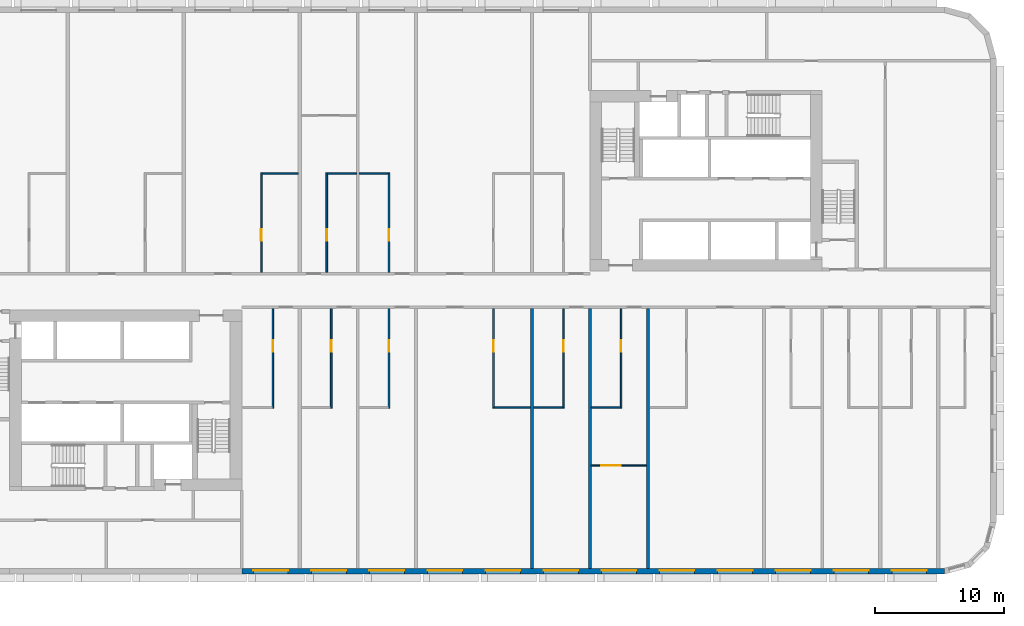
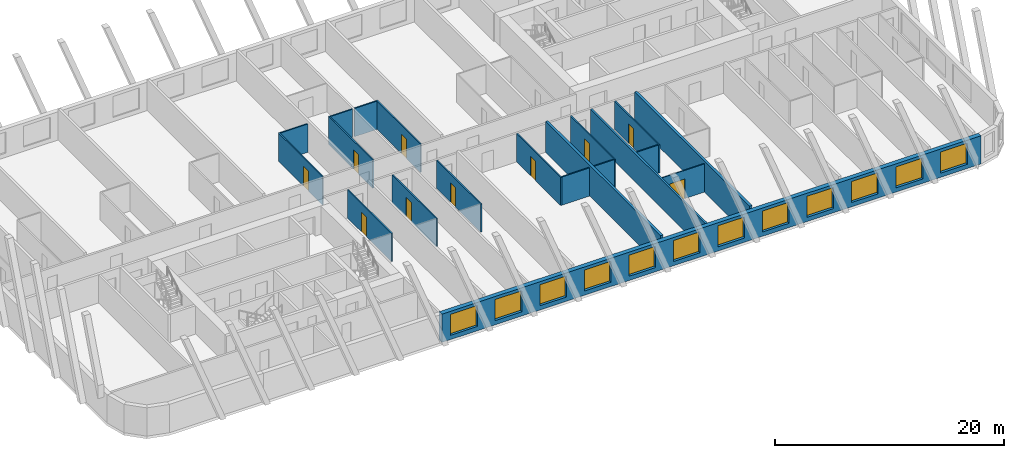
# One storey, part 4 of 13: 20 walls, 12 windows, 10 doors, 22 openings.
"""IFC4 building model written with IfcOpenShell, lengths in metres."""

from ifc_helpers import new_model, si_unit, direction, frame, frame_2d, origin, place, context, subcontext, project, spatial, rectangle, extrude, material, layer, layer_set, type_object, element, fill, save


model = new_model("IFC4")

# Units and contexts
model_context = context("Model", 3, precision=1e-05, world=origin(), true_north=direction((0.0, 1.0)))
body_context = subcontext(model_context, "Body", "Model", "MODEL_VIEW")
ifc_project = project(units=[si_unit("LENGTHUNIT", "METRE"), si_unit("AREAUNIT", "SQUARE_METRE"), si_unit("VOLUMEUNIT", "CUBIC_METRE"), si_unit("PLANEANGLEUNIT", "RADIAN"), si_unit("MASSUNIT", "GRAM", prefix="KILO")], contexts=[model_context])

# Site, building, storey
site_placement = place(None, origin())
site = spatial("IfcSite", under=ifc_project, at=site_placement, CompositionType="ELEMENT")
building_placement = place(site_placement, origin())
building = spatial("IfcBuilding", under=site, at=building_placement, Name="Kajstack Hotel Tower", CompositionType="ELEMENT")
storey_placement = place(building_placement, frame((0.0, 0.0, 79.800048828125)))
storey = spatial("IfcBuildingStorey", under=building, at=storey_placement, Name="L15", CompositionType="ELEMENT", Elevation=79.800048828125)

# Wall
ifc_material_1 = material(Name="Twin-frame gypsum board on steel studs, mineral wool", Category="steel")
ifc_layer_1 = layer(ifc_material_1, 0.199951171875)
ifc_layer_set_1 = layer_set([ifc_layer_1], Name="Demising wall 200")
wall_type_1 = type_object("IfcWallType", Name="Demising wall 200", PredefinedType="PARTITIONING", material=ifc_layer_set_1)
wall_1_placement = place(storey_placement, frame((13.5, -21.550048828125, 0.0), z_axis=(0.0, 0.0, 1.0), x_axis=(0.0, 1.0, 0.0)))
element("IfcWall", 1, at=wall_1_placement, inside=storey, type_object=wall_type_1, Name="G-wall-L15-034", PredefinedType="PARTITIONING", context=body_context, shape_type="SweptSolid", body=[
    extrude(rectangle(XDim=20.150146484375, YDim=0.199951171875, at=frame_2d((10.0751953125, 0.0))), origin(), (0.0, 0.0, 1.0), 3.02001953125),
])

# Wall, openings, windows
ifc_material_2 = material(Name="Terracotta-faced brick masonry", Category="masonry")
ifc_layer_2 = layer(ifc_material_2, 0.449951171875)
ifc_layer_set_2 = layer_set([ifc_layer_2], Name="EW-TERRA")
wall_type_2 = type_object("IfcWallType", Name="EW-TERRA", PredefinedType="SOLIDWALL", material=ifc_layer_set_2)
wall_2_placement = place(storey_placement, frame((-13.5, -21.77490234375, 0.0), z_axis=(0.0, 0.0, 1.0), x_axis=(1.0, 0.0, 0.0)))
wall_2 = element("IfcWall", 2, at=wall_2_placement, inside=storey, type_object=wall_type_2, Name="E-wall-L15-03-02", PredefinedType="SOLIDWALL", context=body_context, shape_type="SweptSolid", body=[
    extrude(rectangle(XDim=54.5, YDim=0.449951171875, at=frame_2d((27.25, 0.0))), origin(), (0.0, 0.0, 1.0), 3.02001953125),
])
opening_1_placement = place(wall_2_placement, frame((0.89990234375, 0.0, 0.449951171875)))
opening_1 = element("IfcOpeningElement", 3, at=opening_1_placement, cuts=wall_2, Name="Opening W1", PredefinedType="OPENING", context=body_context, shape_type="SweptSolid", body=[
    extrude(rectangle(XDim=2.699951171875, YDim=2.25, at=frame_2d((1.35009765625, 1.125))), frame((0.0, 0.23486328125, 0.0), z_axis=(0.0, -1.0, 0.0), x_axis=(1.0, 0.0, 0.0)), (0.0, 0.0, 1.0), 0.469970703125),
])
opening_2_placement = place(wall_2_placement, frame((5.39990234375, 0.0, 0.449951171875)))
opening_2 = element("IfcOpeningElement", 4, at=opening_2_placement, cuts=wall_2, Name="Opening W1", PredefinedType="OPENING", context=body_context, shape_type="SweptSolid", body=[
    extrude(rectangle(XDim=2.699951171875, YDim=2.25, at=frame_2d((1.35009765625, 1.125))), frame((0.0, 0.23486328125, 0.0), z_axis=(0.0, -1.0, 0.0), x_axis=(1.0, 0.0, 0.0)), (0.0, 0.0, 1.0), 0.469970703125),
])
opening_3_placement = place(wall_2_placement, frame((9.89990234375, 0.0, 0.449951171875)))
opening_3 = element("IfcOpeningElement", 5, at=opening_3_placement, cuts=wall_2, Name="Opening W1", PredefinedType="OPENING", context=body_context, shape_type="SweptSolid", body=[
    extrude(rectangle(XDim=2.699951171875, YDim=2.25, at=frame_2d((1.35009765625, 1.125))), frame((0.0, 0.23486328125, 0.0), z_axis=(0.0, -1.0, 0.0), x_axis=(1.0, 0.0, 0.0)), (0.0, 0.0, 1.0), 0.469970703125),
])
opening_4_placement = place(wall_2_placement, frame((14.39990234375, 0.0, 0.449951171875)))
opening_4 = element("IfcOpeningElement", 6, at=opening_4_placement, cuts=wall_2, Name="Opening W1", PredefinedType="OPENING", context=body_context, shape_type="SweptSolid", body=[
    extrude(rectangle(XDim=2.699951171875, YDim=2.25, at=frame_2d((1.35009765625, 1.125))), frame((0.0, 0.23486328125, 0.0), z_axis=(0.0, -1.0, 0.0), x_axis=(1.0, 0.0, 0.0)), (0.0, 0.0, 1.0), 0.469970703125),
])
opening_5_placement = place(wall_2_placement, frame((18.89990234375, 0.0, 0.449951171875)))
opening_5 = element("IfcOpeningElement", 7, at=opening_5_placement, cuts=wall_2, Name="Opening W1", PredefinedType="OPENING", context=body_context, shape_type="SweptSolid", body=[
    extrude(rectangle(XDim=2.699951171875, YDim=2.25, at=frame_2d((1.35009765625, 1.125))), frame((0.0, 0.23486328125, 0.0), z_axis=(0.0, -1.0, 0.0), x_axis=(1.0, 0.0, 0.0)), (0.0, 0.0, 1.0), 0.469970703125),
])
opening_6_placement = place(wall_2_placement, frame((23.39990234375, 0.0, 0.449951171875)))
opening_6 = element("IfcOpeningElement", 8, at=opening_6_placement, cuts=wall_2, Name="Opening W1", PredefinedType="OPENING", context=body_context, shape_type="SweptSolid", body=[
    extrude(rectangle(XDim=2.699951171875, YDim=2.25, at=frame_2d((1.35009765625, 1.125))), frame((0.0, 0.23486328125, 0.0), z_axis=(0.0, -1.0, 0.0), x_axis=(1.0, 0.0, 0.0)), (0.0, 0.0, 1.0), 0.469970703125),
])
opening_7_placement = place(wall_2_placement, frame((27.89990234375, 0.0, 0.449951171875)))
opening_7 = element("IfcOpeningElement", 9, at=opening_7_placement, cuts=wall_2, Name="Opening W1", PredefinedType="OPENING", context=body_context, shape_type="SweptSolid", body=[
    extrude(rectangle(XDim=2.699951171875, YDim=2.25, at=frame_2d((1.35009765625, 1.125))), frame((0.0, 0.23486328125, 0.0), z_axis=(0.0, -1.0, 0.0), x_axis=(1.0, 0.0, 0.0)), (0.0, 0.0, 1.0), 0.469970703125),
])
opening_8_placement = place(wall_2_placement, frame((32.39990234375, 0.0, 0.449951171875)))
opening_8 = element("IfcOpeningElement", 10, at=opening_8_placement, cuts=wall_2, Name="Opening W1", PredefinedType="OPENING", context=body_context, shape_type="SweptSolid", body=[
    extrude(rectangle(XDim=2.699951171875, YDim=2.25, at=frame_2d((1.35009765625, 1.125))), frame((0.0, 0.23486328125, 0.0), z_axis=(0.0, -1.0, 0.0), x_axis=(1.0, 0.0, 0.0)), (0.0, 0.0, 1.0), 0.469970703125),
])
opening_9_placement = place(wall_2_placement, frame((36.89990234375, 0.0, 0.449951171875)))
opening_9 = element("IfcOpeningElement", 11, at=opening_9_placement, cuts=wall_2, Name="Opening W1", PredefinedType="OPENING", context=body_context, shape_type="SweptSolid", body=[
    extrude(rectangle(XDim=2.699951171875, YDim=2.25, at=frame_2d((1.35009765625, 1.125))), frame((0.0, 0.23486328125, 0.0), z_axis=(0.0, -1.0, 0.0), x_axis=(1.0, 0.0, 0.0)), (0.0, 0.0, 1.0), 0.469970703125),
])
opening_10_placement = place(wall_2_placement, frame((41.39990234375, 0.0, 0.449951171875)))
opening_10 = element("IfcOpeningElement", 12, at=opening_10_placement, cuts=wall_2, Name="Opening W1", PredefinedType="OPENING", context=body_context, shape_type="SweptSolid", body=[
    extrude(rectangle(XDim=2.699951171875, YDim=2.25, at=frame_2d((1.35009765625, 1.125))), frame((0.0, 0.23486328125, 0.0), z_axis=(0.0, -1.0, 0.0), x_axis=(1.0, 0.0, 0.0)), (0.0, 0.0, 1.0), 0.469970703125),
])
opening_11_placement = place(wall_2_placement, frame((45.89990234375, 0.0, 0.449951171875)))
opening_11 = element("IfcOpeningElement", 13, at=opening_11_placement, cuts=wall_2, Name="Opening W1", PredefinedType="OPENING", context=body_context, shape_type="SweptSolid", body=[
    extrude(rectangle(XDim=2.699951171875, YDim=2.25, at=frame_2d((1.35009765625, 1.125))), frame((0.0, 0.23486328125, 0.0), z_axis=(0.0, -1.0, 0.0), x_axis=(1.0, 0.0, 0.0)), (0.0, 0.0, 1.0), 0.469970703125),
])
opening_12_placement = place(wall_2_placement, frame((50.39990234375, 0.0, 0.449951171875)))
opening_12 = element("IfcOpeningElement", 14, at=opening_12_placement, cuts=wall_2, Name="Opening W1", PredefinedType="OPENING", context=body_context, shape_type="SweptSolid", body=[
    extrude(rectangle(XDim=2.699951171875, YDim=2.25, at=frame_2d((1.35009765625, 1.125))), frame((0.0, 0.23486328125, 0.0), z_axis=(0.0, -1.0, 0.0), x_axis=(1.0, 0.0, 0.0)), (0.0, 0.0, 1.0), 0.469970703125),
])
ifc_material_3 = material(Name="Timber-aluminium window, triple glazed", Category="wood")
window_type = type_object("IfcWindowType", Name="WG1", PartitioningType="SINGLE_PANEL", PredefinedType="WINDOW", material=ifc_material_3)
window_1_placement = place(opening_1_placement, origin())
window_1 = element("IfcWindow", 15, at=window_1_placement, inside=storey, type_object=window_type, Name="Window W1 L15-03", OverallHeight=2.25, OverallWidth=2.699951171875, PartitioningType="SINGLE_PANEL", PredefinedType="WINDOW", context=body_context, shape_type="SweptSolid", body=[
    extrude(rectangle(XDim=2.699951171875, YDim=2.25, at=frame_2d((1.35009765625, 1.125))), frame((0.0, 0.090087890625, 0.0), z_axis=(0.0, -1.0, 0.0), x_axis=(1.0, 0.0, 0.0)), (0.0, 0.0, 1.0), 0.06005859375),
])
fill(opening_1, window_1)
window_2_placement = place(opening_2_placement, origin())
window_2 = element("IfcWindow", 16, at=window_2_placement, inside=storey, type_object=window_type, Name="Window W1 L15-03", OverallHeight=2.25, OverallWidth=2.699951171875, PartitioningType="SINGLE_PANEL", PredefinedType="WINDOW", context=body_context, shape_type="SweptSolid", body=[
    extrude(rectangle(XDim=2.699951171875, YDim=2.25, at=frame_2d((1.35009765625, 1.125))), frame((0.0, 0.090087890625, 0.0), z_axis=(0.0, -1.0, 0.0), x_axis=(1.0, 0.0, 0.0)), (0.0, 0.0, 1.0), 0.06005859375),
])
fill(opening_2, window_2)
window_3_placement = place(opening_3_placement, origin())
window_3 = element("IfcWindow", 17, at=window_3_placement, inside=storey, type_object=window_type, Name="Window W1 L15-03", OverallHeight=2.25, OverallWidth=2.699951171875, PartitioningType="SINGLE_PANEL", PredefinedType="WINDOW", context=body_context, shape_type="SweptSolid", body=[
    extrude(rectangle(XDim=2.699951171875, YDim=2.25, at=frame_2d((1.35009765625, 1.125))), frame((0.0, 0.090087890625, 0.0), z_axis=(0.0, -1.0, 0.0), x_axis=(1.0, 0.0, 0.0)), (0.0, 0.0, 1.0), 0.06005859375),
])
fill(opening_3, window_3)
window_4_placement = place(opening_4_placement, origin())
window_4 = element("IfcWindow", 18, at=window_4_placement, inside=storey, type_object=window_type, Name="Window W1 L15-03", OverallHeight=2.25, OverallWidth=2.699951171875, PartitioningType="SINGLE_PANEL", PredefinedType="WINDOW", context=body_context, shape_type="SweptSolid", body=[
    extrude(rectangle(XDim=2.699951171875, YDim=2.25, at=frame_2d((1.35009765625, 1.125))), frame((0.0, 0.090087890625, 0.0), z_axis=(0.0, -1.0, 0.0), x_axis=(1.0, 0.0, 0.0)), (0.0, 0.0, 1.0), 0.06005859375),
])
fill(opening_4, window_4)
window_5_placement = place(opening_5_placement, origin())
window_5 = element("IfcWindow", 19, at=window_5_placement, inside=storey, type_object=window_type, Name="Window W1 L15-03", OverallHeight=2.25, OverallWidth=2.699951171875, PartitioningType="SINGLE_PANEL", PredefinedType="WINDOW", context=body_context, shape_type="SweptSolid", body=[
    extrude(rectangle(XDim=2.699951171875, YDim=2.25, at=frame_2d((1.35009765625, 1.125))), frame((0.0, 0.090087890625, 0.0), z_axis=(0.0, -1.0, 0.0), x_axis=(1.0, 0.0, 0.0)), (0.0, 0.0, 1.0), 0.06005859375),
])
fill(opening_5, window_5)
window_6_placement = place(opening_6_placement, origin())
window_6 = element("IfcWindow", 20, at=window_6_placement, inside=storey, type_object=window_type, Name="Window W1 L15-03", OverallHeight=2.25, OverallWidth=2.699951171875, PartitioningType="SINGLE_PANEL", PredefinedType="WINDOW", context=body_context, shape_type="SweptSolid", body=[
    extrude(rectangle(XDim=2.699951171875, YDim=2.25, at=frame_2d((1.35009765625, 1.125))), frame((0.0, 0.090087890625, 0.0), z_axis=(0.0, -1.0, 0.0), x_axis=(1.0, 0.0, 0.0)), (0.0, 0.0, 1.0), 0.06005859375),
])
fill(opening_6, window_6)
window_7_placement = place(opening_7_placement, origin())
window_7 = element("IfcWindow", 21, at=window_7_placement, inside=storey, type_object=window_type, Name="Window W1 L15-03", OverallHeight=2.25, OverallWidth=2.699951171875, PartitioningType="SINGLE_PANEL", PredefinedType="WINDOW", context=body_context, shape_type="SweptSolid", body=[
    extrude(rectangle(XDim=2.699951171875, YDim=2.25, at=frame_2d((1.35009765625, 1.125))), frame((0.0, 0.090087890625, 0.0), z_axis=(0.0, -1.0, 0.0), x_axis=(1.0, 0.0, 0.0)), (0.0, 0.0, 1.0), 0.06005859375),
])
fill(opening_7, window_7)
window_8_placement = place(opening_8_placement, origin())
window_8 = element("IfcWindow", 22, at=window_8_placement, inside=storey, type_object=window_type, Name="Window W1 L15-03", OverallHeight=2.25, OverallWidth=2.699951171875, PartitioningType="SINGLE_PANEL", PredefinedType="WINDOW", context=body_context, shape_type="SweptSolid", body=[
    extrude(rectangle(XDim=2.699951171875, YDim=2.25, at=frame_2d((1.35009765625, 1.125))), frame((0.0, 0.090087890625, 0.0), z_axis=(0.0, -1.0, 0.0), x_axis=(1.0, 0.0, 0.0)), (0.0, 0.0, 1.0), 0.06005859375),
])
fill(opening_8, window_8)
window_9_placement = place(opening_9_placement, origin())
window_9 = element("IfcWindow", 23, at=window_9_placement, inside=storey, type_object=window_type, Name="Window W1 L15-03", OverallHeight=2.25, OverallWidth=2.699951171875, PartitioningType="SINGLE_PANEL", PredefinedType="WINDOW", context=body_context, shape_type="SweptSolid", body=[
    extrude(rectangle(XDim=2.699951171875, YDim=2.25, at=frame_2d((1.35009765625, 1.125))), frame((0.0, 0.090087890625, 0.0), z_axis=(0.0, -1.0, 0.0), x_axis=(1.0, 0.0, 0.0)), (0.0, 0.0, 1.0), 0.06005859375),
])
fill(opening_9, window_9)
window_10_placement = place(opening_10_placement, origin())
window_10 = element("IfcWindow", 24, at=window_10_placement, inside=storey, type_object=window_type, Name="Window W1 L15-03", OverallHeight=2.25, OverallWidth=2.699951171875, PartitioningType="SINGLE_PANEL", PredefinedType="WINDOW", context=body_context, shape_type="SweptSolid", body=[
    extrude(rectangle(XDim=2.699951171875, YDim=2.25, at=frame_2d((1.35009765625, 1.125))), frame((0.0, 0.090087890625, 0.0), z_axis=(0.0, -1.0, 0.0), x_axis=(1.0, 0.0, 0.0)), (0.0, 0.0, 1.0), 0.06005859375),
])
fill(opening_10, window_10)
window_11_placement = place(opening_11_placement, origin())
window_11 = element("IfcWindow", 25, at=window_11_placement, inside=storey, type_object=window_type, Name="Window W1 L15-03", OverallHeight=2.25, OverallWidth=2.699951171875, PartitioningType="SINGLE_PANEL", PredefinedType="WINDOW", context=body_context, shape_type="SweptSolid", body=[
    extrude(rectangle(XDim=2.699951171875, YDim=2.25, at=frame_2d((1.35009765625, 1.125))), frame((0.0, 0.090087890625, 0.0), z_axis=(0.0, -1.0, 0.0), x_axis=(1.0, 0.0, 0.0)), (0.0, 0.0, 1.0), 0.06005859375),
])
fill(opening_11, window_11)
window_12_placement = place(opening_12_placement, origin())
window_12 = element("IfcWindow", 26, at=window_12_placement, inside=storey, type_object=window_type, Name="Window W1 L15-03", OverallHeight=2.25, OverallWidth=2.699951171875, PartitioningType="SINGLE_PANEL", PredefinedType="WINDOW", context=body_context, shape_type="SweptSolid", body=[
    extrude(rectangle(XDim=2.699951171875, YDim=2.25, at=frame_2d((1.35009765625, 1.125))), frame((0.0, 0.090087890625, 0.0), z_axis=(0.0, -1.0, 0.0), x_axis=(1.0, 0.0, 0.0)), (0.0, 0.0, 1.0), 0.06005859375),
])
fill(opening_12, window_12)

# Wall, opening, door
ifc_material_4 = material(Name="Gypsum board and tiled backer on steel studs", Category="steel")
ifc_layer_3 = layer(ifc_material_4, 0.125)
ifc_layer_set_3 = layer_set([ifc_layer_3], Name="En-suite wall 125")
wall_type_3 = type_object("IfcWallType", Name="En-suite wall 125", PredefinedType="PARTITIONING", material=ifc_layer_set_3)
wall_3_placement = place(storey_placement, frame((-11.988037109375, 1.39990234375, 0.0), z_axis=(0.0, 0.0, 1.0), x_axis=(0.0, 1.0, 0.0)))
wall_3 = element("IfcWall", 27, at=wall_3_placement, inside=storey, type_object=wall_type_3, Name="G-wall-L15-012", PredefinedType="PARTITIONING", context=body_context, shape_type="SweptSolid", body=[
    extrude(rectangle(XDim=7.72509765625, YDim=0.125, at=frame_2d((3.862548828125, 0.0))), origin(), (0.0, 0.0, 1.0), 3.02001953125),
])
opening_13_placement = place(wall_3_placement, frame((2.449951171875, 0.0, 0.0)))
opening_13 = element("IfcOpeningElement", 28, at=opening_13_placement, cuts=wall_3, Name="Opening 15010", PredefinedType="OPENING", context=body_context, shape_type="SweptSolid", body=[
    extrude(rectangle(XDim=0.89990234375, YDim=2.10009765625, at=frame_2d((0.449951171875, 1.050048828125))), frame((0.0, 0.072509765625, 0.0), z_axis=(0.0, -1.0, 0.0), x_axis=(1.0, 0.0, 0.0)), (0.0, 0.0, 1.0), 0.14501953125),
])
ifc_material_5 = material(Name="Painted timber door leaf", Category="wood")
door_type_1 = type_object("IfcDoorType", Name="Room door 900", OperationType="SINGLE_SWING_LEFT", PredefinedType="DOOR", material=ifc_material_5)
door_1_placement = place(opening_13_placement, origin())
door_1 = element("IfcDoor", 29, at=door_1_placement, inside=storey, type_object=door_type_1, Name="G-door-L15-10", OperationType="SINGLE_SWING_RIGHT", OverallHeight=2.10009765625, OverallWidth=0.89990234375, PredefinedType="DOOR", context=body_context, shape_type="SweptSolid", body=[
    extrude(rectangle(XDim=0.89990234375, YDim=2.10009765625, at=frame_2d((0.449951171875, 1.050048828125))), frame((0.0, 0.02490234375, 0.0), z_axis=(0.0, -1.0, 0.0), x_axis=(1.0, 0.0, 0.0)), (0.0, 0.0, 1.0), 0.050048828125),
])
fill(opening_13, door_1)

# Wall
wall_4_placement = place(storey_placement, frame((-11.925048828125, 9.06201171875, 0.0), z_axis=(0.0, 0.0, 1.0), x_axis=(1.0, 0.0, 0.0)))
element("IfcWall", 30, at=wall_4_placement, inside=storey, type_object=wall_type_3, Name="G-wall-L15-013", PredefinedType="PARTITIONING", context=body_context, shape_type="SweptSolid", body=[
    extrude(rectangle(XDim=2.800048828125, YDim=0.125, at=frame_2d((1.39990234375, 0.0))), origin(), (0.0, 0.0, 1.0), 3.02001953125),
])

# Wall, opening, door
wall_5_placement = place(storey_placement, frame((-6.912109375, 1.39990234375, 0.0), z_axis=(0.0, 0.0, 1.0), x_axis=(0.0, 1.0, 0.0)))
wall_5 = element("IfcWall", 31, at=wall_5_placement, inside=storey, type_object=wall_type_3, Name="G-wall-L15-015", PredefinedType="PARTITIONING", context=body_context, shape_type="SweptSolid", body=[
    extrude(rectangle(XDim=7.72509765625, YDim=0.125, at=frame_2d((3.862548828125, 0.0))), origin(), (0.0, 0.0, 1.0), 3.02001953125),
])
opening_14_placement = place(wall_5_placement, frame((2.449951171875, 0.0, 0.0)))
opening_14 = element("IfcOpeningElement", 32, at=opening_14_placement, cuts=wall_5, Name="Opening 15012", PredefinedType="OPENING", context=body_context, shape_type="SweptSolid", body=[
    extrude(rectangle(XDim=0.89990234375, YDim=2.10009765625, at=frame_2d((0.449951171875, 1.050048828125))), frame((0.0, 0.072509765625, 0.0), z_axis=(0.0, -1.0, 0.0), x_axis=(1.0, 0.0, 0.0)), (0.0, 0.0, 1.0), 0.14501953125),
])
door_2_placement = place(opening_14_placement, origin())
door_2 = element("IfcDoor", 33, at=door_2_placement, inside=storey, type_object=door_type_1, Name="G-door-L15-12", OperationType="SINGLE_SWING_RIGHT", OverallHeight=2.10009765625, OverallWidth=0.89990234375, PredefinedType="DOOR", context=body_context, shape_type="SweptSolid", body=[
    extrude(rectangle(XDim=0.89990234375, YDim=2.10009765625, at=frame_2d((0.449951171875, 1.050048828125))), frame((0.0, 0.02490234375, 0.0), z_axis=(0.0, -1.0, 0.0), x_axis=(1.0, 0.0, 0.0)), (0.0, 0.0, 1.0), 0.050048828125),
])
fill(opening_14, door_2)

# Wall
wall_6_placement = place(storey_placement, frame((-6.85009765625, 9.06201171875, 0.0), z_axis=(0.0, 0.0, 1.0), x_axis=(1.0, 0.0, 0.0)))
element("IfcWall", 34, at=wall_6_placement, inside=storey, type_object=wall_type_3, Name="G-wall-L15-016", PredefinedType="PARTITIONING", context=body_context, shape_type="SweptSolid", body=[
    extrude(rectangle(XDim=2.25, YDim=0.125, at=frame_2d((1.125, 0.0))), origin(), (0.0, 0.0, 1.0), 3.02001953125),
])

# Wall, opening, door
wall_7_placement = place(storey_placement, frame((-2.0869140625, 1.39990234375, 0.0), z_axis=(0.0, 0.0, 1.0), x_axis=(0.0, 1.0, 0.0)))
wall_7 = element("IfcWall", 35, at=wall_7_placement, inside=storey, type_object=wall_type_3, Name="G-wall-L15-018", PredefinedType="PARTITIONING", context=body_context, shape_type="SweptSolid", body=[
    extrude(rectangle(XDim=7.72509765625, YDim=0.125, at=frame_2d((3.862548828125, 0.0))), origin(), (0.0, 0.0, 1.0), 3.02001953125),
])
opening_15_placement = place(wall_7_placement, frame((2.449951171875, 0.0, 0.0)))
opening_15 = element("IfcOpeningElement", 36, at=opening_15_placement, cuts=wall_7, Name="Opening 15015", PredefinedType="OPENING", context=body_context, shape_type="SweptSolid", body=[
    extrude(rectangle(XDim=0.89990234375, YDim=2.10009765625, at=frame_2d((0.449951171875, 1.050048828125))), frame((0.0, 0.072509765625, 0.0), z_axis=(0.0, -1.0, 0.0), x_axis=(1.0, 0.0, 0.0)), (0.0, 0.0, 1.0), 0.14501953125),
])
door_3_placement = place(opening_15_placement, origin())
door_3 = element("IfcDoor", 37, at=door_3_placement, inside=storey, type_object=door_type_1, Name="G-door-L15-15", OperationType="SINGLE_SWING_LEFT", OverallHeight=2.10009765625, OverallWidth=0.89990234375, PredefinedType="DOOR", context=body_context, shape_type="SweptSolid", body=[
    extrude(rectangle(XDim=0.89990234375, YDim=2.10009765625, at=frame_2d((0.449951171875, 1.050048828125))), frame((0.0, 0.02490234375, 0.0), z_axis=(0.0, -1.0, 0.0), x_axis=(1.0, 0.0, 0.0)), (0.0, 0.0, 1.0), 0.050048828125),
])
fill(opening_15, door_3)

# Wall
wall_8_placement = place(storey_placement, frame((-4.39990234375, 9.06201171875, 0.0), z_axis=(0.0, 0.0, 1.0), x_axis=(1.0, 0.0, 0.0)))
element("IfcWall", 38, at=wall_8_placement, inside=storey, type_object=wall_type_3, Name="G-wall-L15-019", PredefinedType="PARTITIONING", context=body_context, shape_type="SweptSolid", body=[
    extrude(rectangle(XDim=2.25, YDim=0.125, at=frame_2d((1.125, 0.0))), origin(), (0.0, 0.0, 1.0), 3.02001953125),
])

# Wall, opening, door
wall_9_placement = place(storey_placement, frame((-11.087890625, -9.125, 0.0), z_axis=(0.0, 0.0, 1.0), x_axis=(0.0, 1.0, 0.0)))
wall_9 = element("IfcWall", 39, at=wall_9_placement, inside=storey, type_object=wall_type_3, Name="G-wall-L15-025", PredefinedType="PARTITIONING", context=body_context, shape_type="SweptSolid", body=[
    extrude(rectangle(XDim=7.72509765625, YDim=0.125, at=frame_2d((3.862548828125, 0.0))), origin(), (0.0, 0.0, 1.0), 3.02001953125),
])
opening_16_placement = place(wall_9_placement, frame((4.375, 0.0, 0.0)))
opening_16 = element("IfcOpeningElement", 40, at=opening_16_placement, cuts=wall_9, Name="Opening 15021", PredefinedType="OPENING", context=body_context, shape_type="SweptSolid", body=[
    extrude(rectangle(XDim=0.89990234375, YDim=2.10009765625, at=frame_2d((0.449951171875, 1.050048828125))), frame((0.0, 0.072509765625, 0.0), z_axis=(0.0, -1.0, 0.0), x_axis=(1.0, 0.0, 0.0)), (0.0, 0.0, 1.0), 0.14501953125),
])
door_4_placement = place(opening_16_placement, origin())
door_4 = element("IfcDoor", 41, at=door_4_placement, inside=storey, type_object=door_type_1, Name="G-door-L15-21", OperationType="SINGLE_SWING_LEFT", OverallHeight=2.10009765625, OverallWidth=0.89990234375, PredefinedType="DOOR", context=body_context, shape_type="SweptSolid", body=[
    extrude(rectangle(XDim=0.89990234375, YDim=2.10009765625, at=frame_2d((0.449951171875, 1.050048828125))), frame((0.0, 0.02490234375, 0.0), z_axis=(0.0, -1.0, 0.0), x_axis=(1.0, 0.0, 0.0)), (0.0, 0.0, 1.0), 0.050048828125),
])
fill(opening_16, door_4)

wall_10_placement = place(storey_placement, frame((-6.56201171875, -9.125, 0.0), z_axis=(0.0, 0.0, 1.0), x_axis=(0.0, 1.0, 0.0)))
wall_10 = element("IfcWall", 42, at=wall_10_placement, inside=storey, type_object=wall_type_3, Name="G-wall-L15-028", PredefinedType="PARTITIONING", context=body_context, shape_type="SweptSolid", body=[
    extrude(rectangle(XDim=7.72509765625, YDim=0.125, at=frame_2d((3.862548828125, 0.0))), origin(), (0.0, 0.0, 1.0), 3.02001953125),
])
opening_17_placement = place(wall_10_placement, frame((4.375, 0.0, 0.0)))
opening_17 = element("IfcOpeningElement", 43, at=opening_17_placement, cuts=wall_10, Name="Opening 15023", PredefinedType="OPENING", context=body_context, shape_type="SweptSolid", body=[
    extrude(rectangle(XDim=0.89990234375, YDim=2.10009765625, at=frame_2d((0.449951171875, 1.050048828125))), frame((0.0, 0.072509765625, 0.0), z_axis=(0.0, -1.0, 0.0), x_axis=(1.0, 0.0, 0.0)), (0.0, 0.0, 1.0), 0.14501953125),
])
door_5_placement = place(opening_17_placement, origin())
door_5 = element("IfcDoor", 44, at=door_5_placement, inside=storey, type_object=door_type_1, Name="G-door-L15-23", OperationType="SINGLE_SWING_RIGHT", OverallHeight=2.10009765625, OverallWidth=0.89990234375, PredefinedType="DOOR", context=body_context, shape_type="SweptSolid", body=[
    extrude(rectangle(XDim=0.89990234375, YDim=2.10009765625, at=frame_2d((0.449951171875, 1.050048828125))), frame((0.0, 0.02490234375, 0.0), z_axis=(0.0, -1.0, 0.0), x_axis=(1.0, 0.0, 0.0)), (0.0, 0.0, 1.0), 0.050048828125),
])
fill(opening_17, door_5)

wall_11_placement = place(storey_placement, frame((-2.0869140625, -9.125, 0.0), z_axis=(0.0, 0.0, 1.0), x_axis=(0.0, 1.0, 0.0)))
wall_11 = element("IfcWall", 45, at=wall_11_placement, inside=storey, type_object=wall_type_3, Name="G-wall-L15-030", PredefinedType="PARTITIONING", context=body_context, shape_type="SweptSolid", body=[
    extrude(rectangle(XDim=7.72509765625, YDim=0.125, at=frame_2d((3.862548828125, 0.0))), origin(), (0.0, 0.0, 1.0), 3.02001953125),
])
opening_18_placement = place(wall_11_placement, frame((4.375, 0.0, 0.0)))
opening_18 = element("IfcOpeningElement", 46, at=opening_18_placement, cuts=wall_11, Name="Opening 15025", PredefinedType="OPENING", context=body_context, shape_type="SweptSolid", body=[
    extrude(rectangle(XDim=0.89990234375, YDim=2.10009765625, at=frame_2d((0.449951171875, 1.050048828125))), frame((0.0, 0.072509765625, 0.0), z_axis=(0.0, -1.0, 0.0), x_axis=(1.0, 0.0, 0.0)), (0.0, 0.0, 1.0), 0.14501953125),
])
door_6_placement = place(opening_18_placement, origin())
door_6 = element("IfcDoor", 47, at=door_6_placement, inside=storey, type_object=door_type_1, Name="G-door-L15-25", OperationType="SINGLE_SWING_RIGHT", OverallHeight=2.10009765625, OverallWidth=0.89990234375, PredefinedType="DOOR", context=body_context, shape_type="SweptSolid", body=[
    extrude(rectangle(XDim=0.89990234375, YDim=2.10009765625, at=frame_2d((0.449951171875, 1.050048828125))), frame((0.0, 0.02490234375, 0.0), z_axis=(0.0, -1.0, 0.0), x_axis=(1.0, 0.0, 0.0)), (0.0, 0.0, 1.0), 0.050048828125),
])
fill(opening_18, door_6)

wall_12_placement = place(storey_placement, frame((6.012939453125, -9.125, 0.0), z_axis=(0.0, 0.0, 1.0), x_axis=(0.0, 1.0, 0.0)))
wall_12 = element("IfcWall", 48, at=wall_12_placement, inside=storey, type_object=wall_type_3, Name="G-wall-L15-032", PredefinedType="PARTITIONING", context=body_context, shape_type="SweptSolid", body=[
    extrude(rectangle(XDim=7.72509765625, YDim=0.125, at=frame_2d((3.862548828125, 0.0))), origin(), (0.0, 0.0, 1.0), 3.02001953125),
])
opening_19_placement = place(wall_12_placement, frame((4.375, 0.0, 0.0)))
opening_19 = element("IfcOpeningElement", 49, at=opening_19_placement, cuts=wall_12, Name="Opening 15027", PredefinedType="OPENING", context=body_context, shape_type="SweptSolid", body=[
    extrude(rectangle(XDim=0.89990234375, YDim=2.10009765625, at=frame_2d((0.449951171875, 1.050048828125))), frame((0.0, 0.072509765625, 0.0), z_axis=(0.0, -1.0, 0.0), x_axis=(1.0, 0.0, 0.0)), (0.0, 0.0, 1.0), 0.14501953125),
])
door_7_placement = place(opening_19_placement, origin())
door_7 = element("IfcDoor", 50, at=door_7_placement, inside=storey, type_object=door_type_1, Name="G-door-L15-27", OperationType="SINGLE_SWING_RIGHT", OverallHeight=2.10009765625, OverallWidth=0.89990234375, PredefinedType="DOOR", context=body_context, shape_type="SweptSolid", body=[
    extrude(rectangle(XDim=0.89990234375, YDim=2.10009765625, at=frame_2d((0.449951171875, 1.050048828125))), frame((0.0, 0.02490234375, 0.0), z_axis=(0.0, -1.0, 0.0), x_axis=(1.0, 0.0, 0.0)), (0.0, 0.0, 1.0), 0.050048828125),
])
fill(opening_19, door_7)

# Wall
wall_13_placement = place(storey_placement, frame((6.074951171875, -9.06201171875, 0.0), z_axis=(0.0, 0.0, 1.0), x_axis=(1.0, 0.0, 0.0)))
element("IfcWall", 51, at=wall_13_placement, inside=storey, type_object=wall_type_3, Name="G-wall-L15-033", PredefinedType="PARTITIONING", context=body_context, shape_type="SweptSolid", body=[
    extrude(rectangle(XDim=2.800048828125, YDim=0.125, at=frame_2d((1.39990234375, 0.0))), origin(), (0.0, 0.0, 1.0), 3.02001953125),
])

# Wall, opening, door
wall_14_placement = place(storey_placement, frame((11.43798828125, -9.125, 0.0), z_axis=(0.0, 0.0, 1.0), x_axis=(0.0, 1.0, 0.0)))
wall_14 = element("IfcWall", 52, at=wall_14_placement, inside=storey, type_object=wall_type_3, Name="G-wall-L15-035", PredefinedType="PARTITIONING", context=body_context, shape_type="SweptSolid", body=[
    extrude(rectangle(XDim=7.72509765625, YDim=0.125, at=frame_2d((3.862548828125, 0.0))), origin(), (0.0, 0.0, 1.0), 3.02001953125),
])
opening_20_placement = place(wall_14_placement, frame((4.375, 0.0, 0.0)))
opening_20 = element("IfcOpeningElement", 53, at=opening_20_placement, cuts=wall_14, Name="Opening 15029", PredefinedType="OPENING", context=body_context, shape_type="SweptSolid", body=[
    extrude(rectangle(XDim=0.89990234375, YDim=2.10009765625, at=frame_2d((0.449951171875, 1.050048828125))), frame((0.0, 0.072509765625, 0.0), z_axis=(0.0, -1.0, 0.0), x_axis=(1.0, 0.0, 0.0)), (0.0, 0.0, 1.0), 0.14501953125),
])
door_8_placement = place(opening_20_placement, origin())
door_8 = element("IfcDoor", 54, at=door_8_placement, inside=storey, type_object=door_type_1, Name="G-door-L15-29", OperationType="SINGLE_SWING_RIGHT", OverallHeight=2.10009765625, OverallWidth=0.89990234375, PredefinedType="DOOR", context=body_context, shape_type="SweptSolid", body=[
    extrude(rectangle(XDim=0.89990234375, YDim=2.10009765625, at=frame_2d((0.449951171875, 1.050048828125))), frame((0.0, 0.02490234375, 0.0), z_axis=(0.0, -1.0, 0.0), x_axis=(1.0, 0.0, 0.0)), (0.0, 0.0, 1.0), 0.050048828125),
])
fill(opening_20, door_8)

# Wall
wall_15_placement = place(storey_placement, frame((9.125, -9.06201171875, 0.0), z_axis=(0.0, 0.0, 1.0), x_axis=(1.0, 0.0, 0.0)))
element("IfcWall", 55, at=wall_15_placement, inside=storey, type_object=wall_type_3, Name="G-wall-L15-036", PredefinedType="PARTITIONING", context=body_context, shape_type="SweptSolid", body=[
    extrude(rectangle(XDim=2.25, YDim=0.125, at=frame_2d((1.125, 0.0))), origin(), (0.0, 0.0, 1.0), 3.02001953125),
])

# Wall, opening, door
wall_16_placement = place(storey_placement, frame((15.912109375, -9.125, 0.0), z_axis=(0.0, 0.0, 1.0), x_axis=(0.0, 1.0, 0.0)))
wall_16 = element("IfcWall", 56, at=wall_16_placement, inside=storey, type_object=wall_type_3, Name="G-wall-L15-037", PredefinedType="PARTITIONING", context=body_context, shape_type="SweptSolid", body=[
    extrude(rectangle(XDim=7.72509765625, YDim=0.125, at=frame_2d((3.862548828125, 0.0))), origin(), (0.0, 0.0, 1.0), 3.02001953125),
])
opening_21_placement = place(wall_16_placement, frame((4.375, 0.0, 0.0)))
opening_21 = element("IfcOpeningElement", 57, at=opening_21_placement, cuts=wall_16, Name="Opening 15031", PredefinedType="OPENING", context=body_context, shape_type="SweptSolid", body=[
    extrude(rectangle(XDim=0.89990234375, YDim=2.10009765625, at=frame_2d((0.449951171875, 1.050048828125))), frame((0.0, 0.072509765625, 0.0), z_axis=(0.0, -1.0, 0.0), x_axis=(1.0, 0.0, 0.0)), (0.0, 0.0, 1.0), 0.14501953125),
])
door_9_placement = place(opening_21_placement, origin())
door_9 = element("IfcDoor", 58, at=door_9_placement, inside=storey, type_object=door_type_1, Name="G-door-L15-31", OperationType="SINGLE_SWING_LEFT", OverallHeight=2.10009765625, OverallWidth=0.89990234375, PredefinedType="DOOR", context=body_context, shape_type="SweptSolid", body=[
    extrude(rectangle(XDim=0.89990234375, YDim=2.10009765625, at=frame_2d((0.449951171875, 1.050048828125))), frame((0.0, 0.02490234375, 0.0), z_axis=(0.0, -1.0, 0.0), x_axis=(1.0, 0.0, 0.0)), (0.0, 0.0, 1.0), 0.050048828125),
])
fill(opening_21, door_9)

# Wall
wall_17_placement = place(storey_placement, frame((13.60009765625, -9.06201171875, 0.0), z_axis=(0.0, 0.0, 1.0), x_axis=(1.0, 0.0, 0.0)))
element("IfcWall", 59, at=wall_17_placement, inside=storey, type_object=wall_type_3, Name="G-wall-L15-038", PredefinedType="PARTITIONING", context=body_context, shape_type="SweptSolid", body=[
    extrude(rectangle(XDim=2.25, YDim=0.125, at=frame_2d((1.125, 0.0))), origin(), (0.0, 0.0, 1.0), 3.02001953125),
])

# Wall, opening, door
ifc_material_6 = material(Name="Gypsum board on steel studs", Category="steel")
ifc_layer_4 = layer(ifc_material_6, 0.10009765625)
ifc_layer_set_4 = layer_set([ifc_layer_4], Name="Partition 100")
wall_type_4 = type_object("IfcWallType", Name="Partition 100", PredefinedType="PARTITIONING", material=ifc_layer_set_4)
wall_18_placement = place(storey_placement, frame((13.60009765625, -13.574951171875, 0.0), z_axis=(0.0, 0.0, 1.0), x_axis=(1.0, 0.0, 0.0)))
wall_18 = element("IfcWall", 60, at=wall_18_placement, inside=storey, type_object=wall_type_4, Name="G-wall-L15-039", PredefinedType="PARTITIONING", context=body_context, shape_type="SweptSolid", body=[
    extrude(rectangle(XDim=4.27490234375, YDim=0.10009765625, at=frame_2d((2.137451171875, 0.0))), origin(), (0.0, 0.0, 1.0), 3.02001953125),
])
opening_22_placement = place(wall_18_placement, frame((0.7880859375, 0.0, 0.0)))
opening_22 = element("IfcOpeningElement", 61, at=opening_22_placement, cuts=wall_18, Name="Opening 15032", PredefinedType="OPENING", context=body_context, shape_type="SweptSolid", body=[
    extrude(rectangle(XDim=1.5, YDim=2.10009765625, at=frame_2d((0.75, 1.050048828125))), frame((0.0, 0.06005859375, 0.0), z_axis=(0.0, -1.0, 0.0), x_axis=(1.0, 0.0, 0.0)), (0.0, 0.0, 1.0), 0.1201171875),
])
ifc_material_7 = material(Name="Painted timber door leaves, glazed panels", Category="wood")
door_type_2 = type_object("IfcDoorType", Name="Double door 1500", OperationType="SINGLE_SWING_LEFT", PredefinedType="DOOR", material=ifc_material_7)
door_10_placement = place(opening_22_placement, origin())
door_10 = element("IfcDoor", 62, at=door_10_placement, inside=storey, type_object=door_type_2, Name="G-door-L15-32", OperationType="SINGLE_SWING_RIGHT", OverallHeight=2.10009765625, OverallWidth=1.5, PredefinedType="DOOR", context=body_context, shape_type="SweptSolid", body=[
    extrude(rectangle(XDim=1.5, YDim=2.10009765625, at=frame_2d((0.75, 1.050048828125))), frame((0.0, 0.02490234375, 0.0), z_axis=(0.0, -1.0, 0.0), x_axis=(1.0, 0.0, 0.0)), (0.0, 0.0, 1.0), 0.050048828125),
])
fill(opening_22, door_10)

# Walls
ifc_material_8 = material(Name="Concrete C60/75", Category="concrete")
ifc_layer_5 = layer(ifc_material_8, 0.25)
ifc_layer_set_5 = layer_set([ifc_layer_5], Name="RC cross wall 250 C60/75")
wall_type_5 = type_object("IfcWallType", Name="RC cross wall 250 C60/75", PredefinedType="SHEAR", material=ifc_layer_set_5)
for number, where, z_axis, x_axis, name in (
    (63, (9.0, -21.5400390625, 0.0), (0.0, 0.0, 1.0), (0.0, 1.0, 0.0), "S-wall-L15-09"),
    (64, (18.0, -21.5400390625, 0.0), (0.0, 0.0, 1.0), (0.0, 1.0, 0.0), "S-wall-L15-11"),
):
    element("IfcWall", number, at=place(storey_placement, frame(where, z_axis=z_axis, x_axis=x_axis)), inside=storey, type_object=wall_type_5, Name=name, PredefinedType="SHEAR", context=body_context, shape_type="SweptSolid", body=[
        extrude(rectangle(XDim=20.14013671875, YDim=0.25, at=frame_2d((10.070068359375, 0.0))), origin(), (0.0, 0.0, 1.0), 3.300048828125),
    ])

save(model, "model.ifc")
